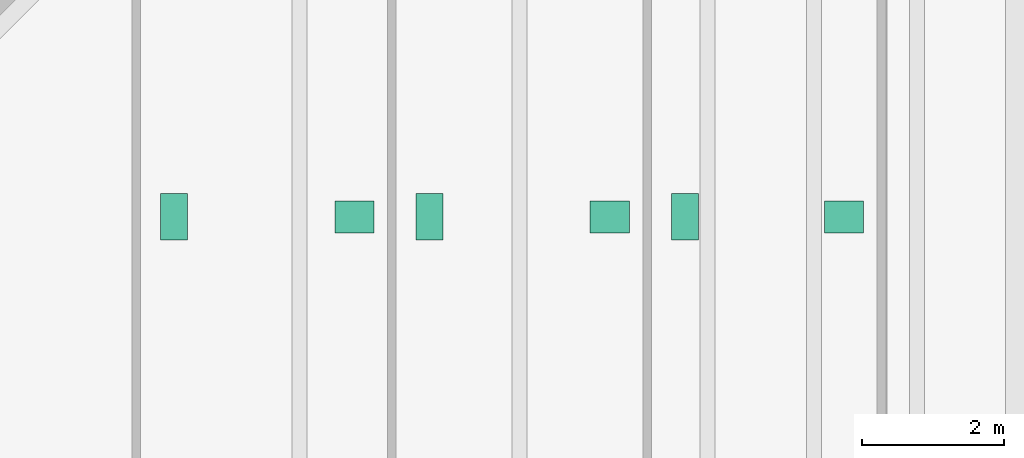
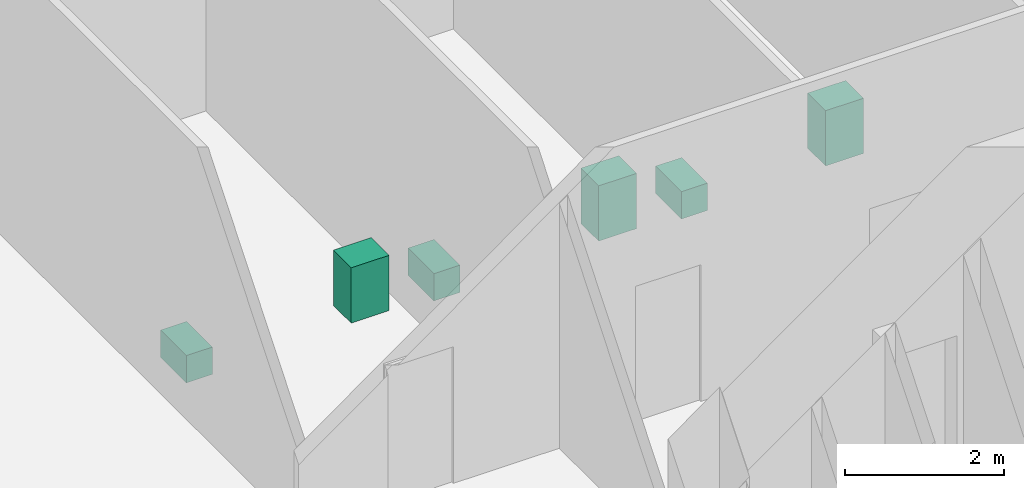
# One storey, part 11 of 11: 6 sanitary terminals.
"""IFC4 building model written with IfcOpenShell, lengths in metres."""

from ifc_helpers import new_model, si_unit, direction, frame, origin, origin_2d, place, context, subcontext, project, spatial, rectangle, extrude, material, type_object, element, save


model = new_model("IFC4")

# Units and contexts
model_context = context("Model", 3, precision=1e-05, world=origin(), true_north=direction((0.0, 1.0)))
body_context = subcontext(model_context, "Body", "Model", "MODEL_VIEW")
ifc_project = project(units=[si_unit("LENGTHUNIT", "METRE"), si_unit("AREAUNIT", "SQUARE_METRE"), si_unit("VOLUMEUNIT", "CUBIC_METRE"), si_unit("PLANEANGLEUNIT", "RADIAN"), si_unit("MASSUNIT", "GRAM", prefix="KILO")], contexts=[model_context])

# Site, building, storey
site_placement = place(None, origin())
site = spatial("IfcSite", under=ifc_project, at=site_placement, CompositionType="ELEMENT")
building_placement = place(site_placement, origin())
building = spatial("IfcBuilding", under=site, at=building_placement, Name="Kranthara Brick Stack", CompositionType="ELEMENT")
storey_placement = place(building_placement, frame((0.0, 0.0, 287.39990234375)))
storey = spatial("IfcBuildingStorey", under=building, at=storey_placement, Name="L76", CompositionType="ELEMENT", Elevation=287.39990234375)

# Sanitary terminals
ifc_material_1 = material(Name="Vitreous china sanitary porcelain", Category="other")
sanitary_terminal_type_1 = type_object("IfcSanitaryTerminalType", Name="SAN-BASIN", PredefinedType="WASHHANDBASIN", material=ifc_material_1)
for number, where, z_axis, x_axis, name in (
    (1, (11.469970703125, 40.054931640625, 0.0), (0.0, 0.0, 1.0), (1.0, 0.0, 0.0), "L76 Washbasin 383"),
    (2, (15.070068359375, 40.054931640625, 0.0), (0.0, 0.0, 1.0), (1.0, 0.0, 0.0), "L76 Washbasin 384"),
    (3, (18.3701171875, 40.054931640625, 0.0), (0.0, 0.0, 1.0), (1.0, 0.0, 0.0), "L76 Washbasin 385"),
):
    element("IfcSanitaryTerminal", number, at=place(storey_placement, frame(where, z_axis=z_axis, x_axis=x_axis)), inside=storey, type_object=sanitary_terminal_type_1, Name=name, PredefinedType="WASHHANDBASIN", context=body_context, shape_type="SweptSolid", body=[
        extrude(rectangle(XDim=0.550048828125, YDim=0.449951171875, at=origin_2d()), origin(), (0.0, 0.0, 1.0), 0.85009765625),
    ])
ifc_material_2 = material(Name="Vitreous china sanitary porcelain", Category="other")
sanitary_terminal_type_2 = type_object("IfcSanitaryTerminalType", Name="SAN-WC-PAN", PredefinedType="TOILETPAN", material=ifc_material_2)
for number, where, z_axis, x_axis, name in (
    (4, (8.929931640625, 40.054931640625, 0.000244140625), (0.0, 0.0, 1.0), (1.0, 0.0, 0.0), "L76 WC Pan 383"),
    (5, (12.530029296875, 40.054931640625, 0.000244140625), (0.0, 0.0, 1.0), (1.0, 0.0, 0.0), "L76 WC Pan 384"),
    (6, (16.1298828125, 40.054931640625, 0.000244140625), (0.0, 0.0, 1.0), (1.0, 0.0, 0.0), "L76 WC Pan 385"),
):
    element("IfcSanitaryTerminal", number, at=place(storey_placement, frame(where, z_axis=z_axis, x_axis=x_axis)), inside=storey, type_object=sanitary_terminal_type_2, Name=name, PredefinedType="TOILETPAN", context=body_context, shape_type="SweptSolid", body=[
        extrude(rectangle(XDim=0.3798828125, YDim=0.64990234375, at=origin_2d()), origin(), (0.0, 0.0, 1.0), 0.419921875),
    ])

save(model, "model.ifc")
